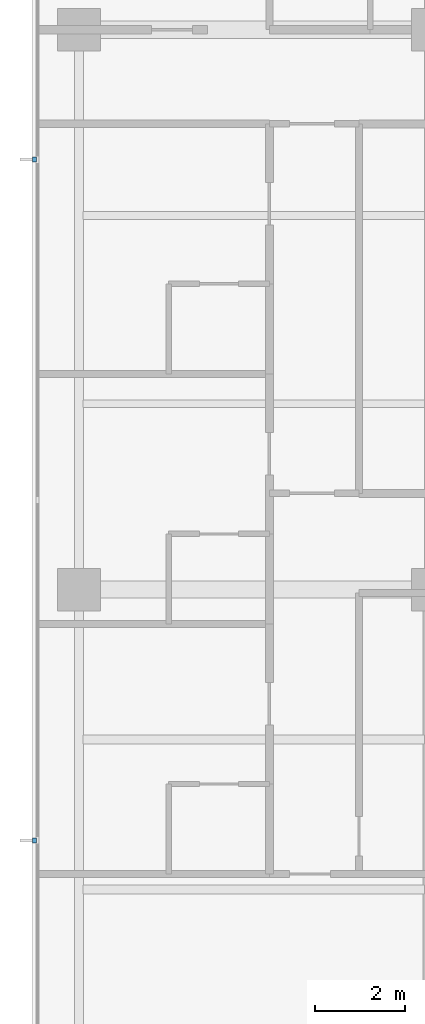
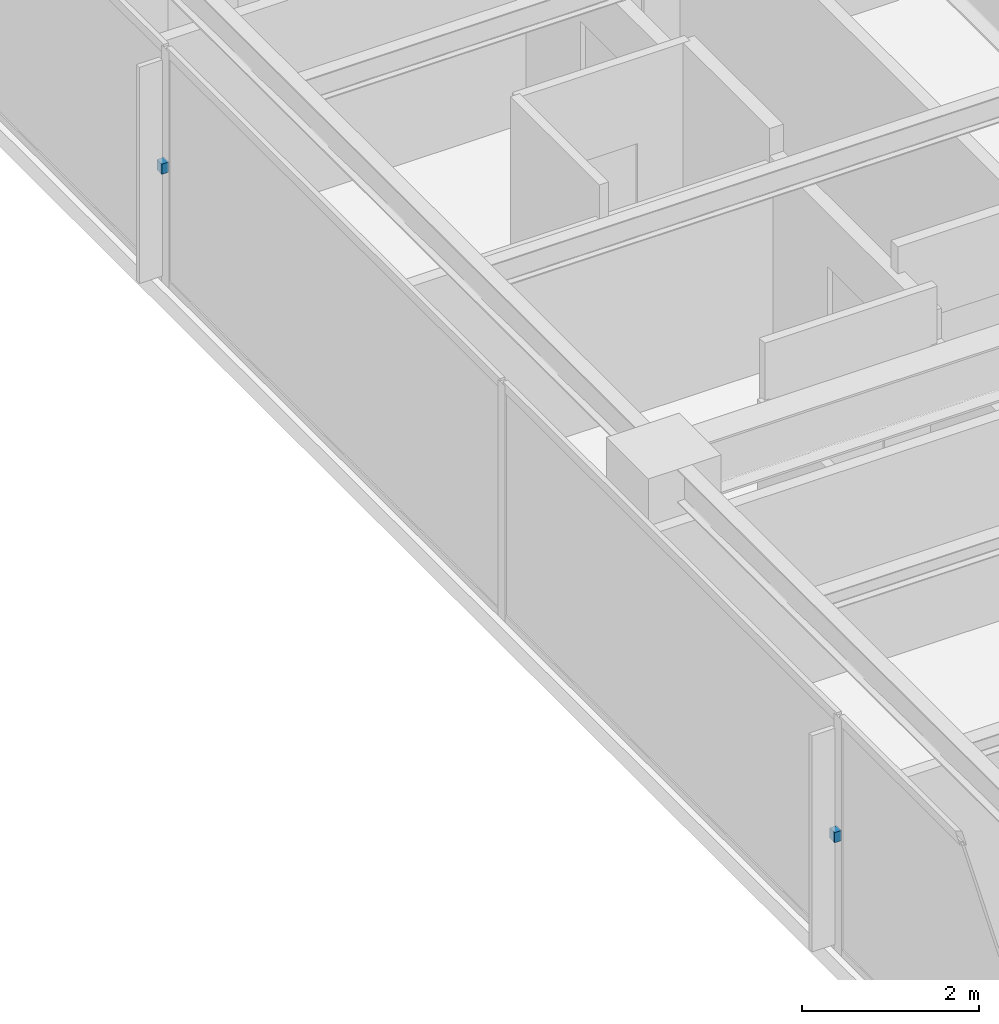
# One storey, part 11 of 15: 2 discrete accessories.
"""IFC4 building model written with IfcOpenShell, lengths in metres."""

from ifc_helpers import new_model, si_unit, direction, frame, origin, place, context, subcontext, project, spatial, polyline, outline, extrude, material, type_object, element, save


model = new_model("IFC4")

# Units and contexts
model_context = context("Model", 3, precision=1e-05, world=origin(), true_north=direction((0.0, 1.0)))
body_context = subcontext(model_context, "Body", "Model", "MODEL_VIEW")
ifc_project = project(units=[si_unit("LENGTHUNIT", "METRE"), si_unit("AREAUNIT", "SQUARE_METRE"), si_unit("VOLUMEUNIT", "CUBIC_METRE"), si_unit("PLANEANGLEUNIT", "RADIAN"), si_unit("MASSUNIT", "GRAM", prefix="KILO")], contexts=[model_context])

# Site, building, storey
site_placement = place(None, origin())
site = spatial("IfcSite", under=ifc_project, at=site_placement, CompositionType="ELEMENT")
building_placement = place(site_placement, origin())
building = spatial("IfcBuilding", under=site, at=building_placement, Name="Qalmaran Belvedere Hotel", CompositionType="ELEMENT")
storey_placement = place(building_placement, frame((0.0, 0.0, 196.89990234375)))
storey = spatial("IfcBuildingStorey", under=building, at=storey_placement, Name="L49", CompositionType="ELEMENT", Elevation=196.89990234375)

# Discrete accessories
ifc_material = material(Name="Stainless Steel 1.4401", Category="steel")
discrete_accessory_type = type_object("IfcDiscreteAccessoryType", Name="BRK-FIN-SS316", PredefinedType="BRACKET", material=ifc_material)
discrete_accessory_1_placement = place(storey_placement, frame((0.0, 0.0, 1.580078125)))
element("IfcDiscreteAccessory", 1, at=discrete_accessory_1_placement, inside=storey, type_object=discrete_accessory_type, Name="L49 Fin Bracket 1", PredefinedType="BRACKET", context=body_context, shape_type="SweptSolid", body=[
    extrude(outline(polyline([(11.455078125, 30.155029296875), (11.362548828125, 30.155029296875), (11.362548828125, 30.044921875), (11.455078125, 30.044921875), (11.455078125, 30.155029296875)])), origin(), (0.0, 0.0, 1.0), 0.14013671875),
])
discrete_accessory_2_placement = place(storey_placement, frame((0.0, 0.0, 1.580078125)))
element("IfcDiscreteAccessory", 2, at=discrete_accessory_2_placement, inside=storey, type_object=discrete_accessory_type, Name="L49 Fin Bracket 3", PredefinedType="BRACKET", context=body_context, shape_type="SweptSolid", body=[
    extrude(outline(polyline([(11.455078125, 14.955078125), (11.362548828125, 14.955078125), (11.362548828125, 14.844970703125), (11.455078125, 14.844970703125), (11.455078125, 14.955078125)])), origin(), (0.0, 0.0, 1.0), 0.14013671875),
])

save(model, "model.ifc")
